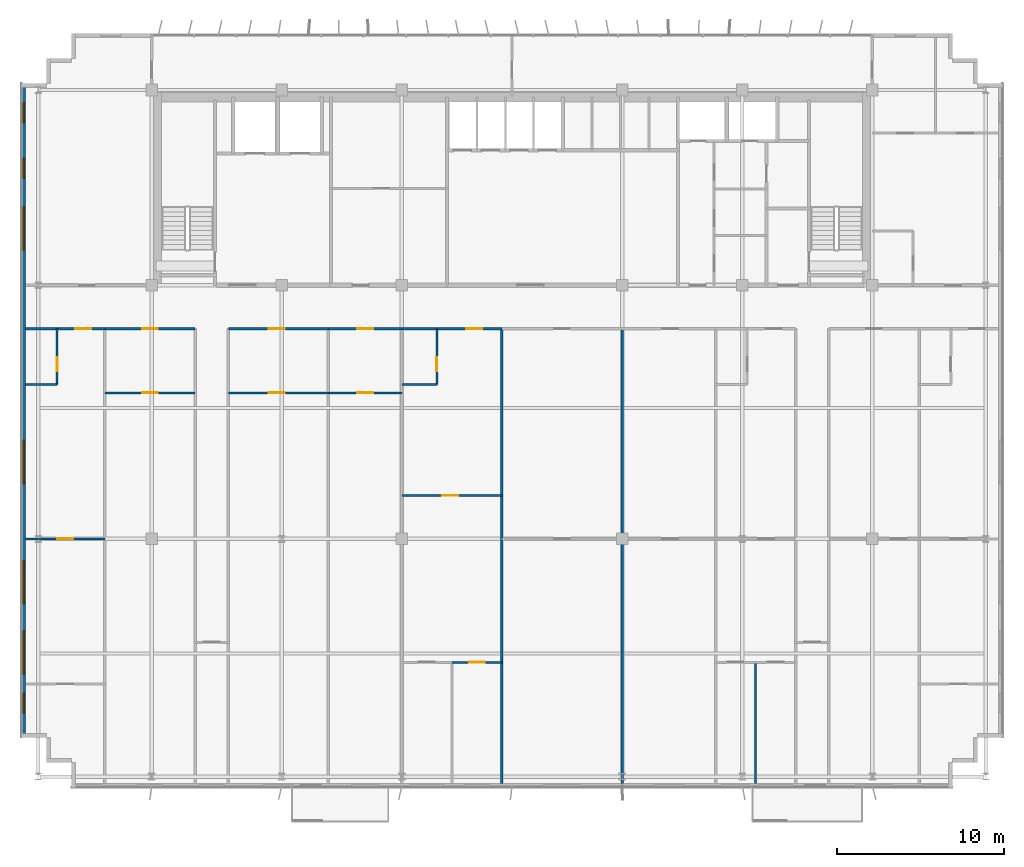
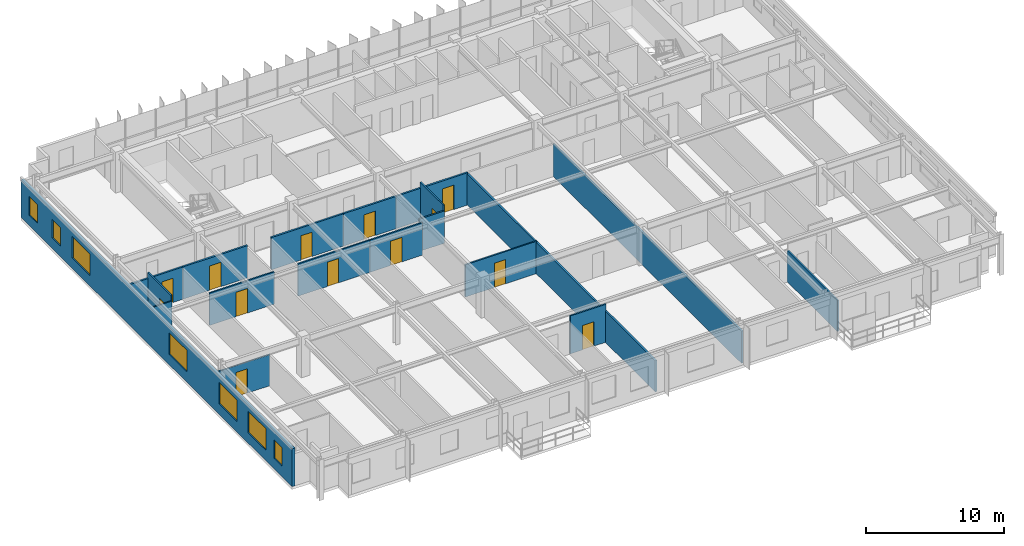
# One storey, part 15 of 21: 19 walls, 13 doors, 7 windows, 20 openings.
"""IFC4 building model written with IfcOpenShell, lengths in metres."""

from ifc_helpers import new_model, si_unit, direction, frame, frame_2d, origin, place, context, subcontext, project, spatial, rectangle, extrude, source, transform, mapped, material, layer, layer_set, type_object, element, fill, save


model = new_model("IFC4")

# Units and contexts
model_context = context("Model", 3, precision=1e-05, world=origin(), true_north=direction((0.0, 1.0)))
body_context = subcontext(model_context, "Body", "Model", "MODEL_VIEW")
ifc_project = project(units=[si_unit("LENGTHUNIT", "METRE"), si_unit("AREAUNIT", "SQUARE_METRE"), si_unit("VOLUMEUNIT", "CUBIC_METRE"), si_unit("PLANEANGLEUNIT", "RADIAN"), si_unit("MASSUNIT", "GRAM", prefix="KILO")], contexts=[model_context])

# Site, building, storey
site_placement = place(None, origin())
site = spatial("IfcSite", under=ifc_project, at=site_placement, CompositionType="ELEMENT")
building_placement = place(site_placement, origin())
building = spatial("IfcBuilding", under=site, at=building_placement, Name="Trelvane Seafront Commons", CompositionType="ELEMENT")
storey_placement = place(building_placement, frame((0.0, 0.0, 153.699951171875)))
storey = spatial("IfcBuildingStorey", under=building, at=storey_placement, Name="L40", CompositionType="ELEMENT", Elevation=153.699951171875)

# Wall, openings, windows
ifc_material_1 = material(Name="Precast concrete C40/50", Category="concrete")
ifc_layer_1 = layer(ifc_material_1, 0.239990234375, Name="ARCH-WALL-EXT240")
ifc_layer_set_1 = layer_set([ifc_layer_1], Name="Precast concrete C40/50")
wall_type_1 = type_object("IfcWallType", Name="ARCH-WALL-EXT240", PredefinedType="SOLIDWALL", material=ifc_layer_set_1)
wall_1_placement = place(storey_placement, frame((7.919921875, 6.300048828125, 0.0), z_axis=(0.0, 0.0, 1.0), x_axis=(0.0, 1.0, 0.0)))
wall_1 = element("IfcWall", 1, at=wall_1_placement, inside=storey, type_object=wall_type_1, Name="EW-L40-00784", PredefinedType="SOLIDWALL", context=body_context, shape_type="SweptSolid", body=[
    extrude(rectangle(XDim=39.199951171875, YDim=0.239990234375, at=frame_2d((19.60009765625, 0.0))), origin(), (0.0, 0.0, 1.0), 3.35009765625),
])
opening_1_placement = place(wall_1_placement, frame((1.449951171875, 0.0, 0.919921875)))
opening_1 = element("IfcOpeningElement", 2, at=opening_1_placement, cuts=wall_1, Name="Opening W05", PredefinedType="OPENING", context=body_context, shape_type="SweptSolid", body=[
    extrude(rectangle(XDim=1.199951171875, YDim=1.64990234375, at=frame_2d((0.60009765625, 0.824951171875))), frame((0.0, 0.1298828125, 0.0), z_axis=(0.0, -1.0, 0.0), x_axis=(1.0, 0.0, 0.0)), (0.0, 0.0, 1.0), 0.260009765625),
])
opening_2_placement = place(wall_1_placement, frame((3.800048828125, 0.0, 0.919921875)))
opening_2 = element("IfcOpeningElement", 3, at=opening_2_placement, cuts=wall_1, Name="Opening W04", PredefinedType="OPENING", context=body_context, shape_type="SweptSolid", body=[
    extrude(rectangle(XDim=2.60009765625, YDim=1.89990234375, at=frame_2d((1.300048828125, 0.949951171875))), frame((0.0, 0.1298828125, 0.0), z_axis=(0.0, -1.0, 0.0), x_axis=(1.0, 0.0, 0.0)), (0.0, 0.0, 1.0), 0.260009765625),
])
opening_3_placement = place(wall_1_placement, frame((8.0, 0.0, 0.919921875)))
opening_3 = element("IfcOpeningElement", 4, at=opening_3_placement, cuts=wall_1, Name="Opening W04", PredefinedType="OPENING", context=body_context, shape_type="SweptSolid", body=[
    extrude(rectangle(XDim=2.60009765625, YDim=1.89990234375, at=frame_2d((1.300048828125, 0.949951171875))), frame((0.0, 0.1298828125, 0.0), z_axis=(0.0, -1.0, 0.0), x_axis=(1.0, 0.0, 0.0)), (0.0, 0.0, 1.0), 0.260009765625),
])
opening_4_placement = place(wall_1_placement, frame((15.199951171875, 0.0, 0.919921875)))
opening_4 = element("IfcOpeningElement", 5, at=opening_4_placement, cuts=wall_1, Name="Opening W04", PredefinedType="OPENING", context=body_context, shape_type="SweptSolid", body=[
    extrude(rectangle(XDim=2.60009765625, YDim=1.89990234375, at=frame_2d((1.300048828125, 0.949951171875))), frame((0.0, 0.1298828125, 0.0), z_axis=(0.0, -1.0, 0.0), x_axis=(1.0, 0.0, 0.0)), (0.0, 0.0, 1.0), 0.260009765625),
])
opening_5_placement = place(wall_1_placement, frame((29.199951171875, 0.0, 0.919921875)))
opening_5 = element("IfcOpeningElement", 6, at=opening_5_placement, cuts=wall_1, Name="Opening W04", PredefinedType="OPENING", context=body_context, shape_type="SweptSolid", body=[
    extrude(rectangle(XDim=2.60009765625, YDim=1.89990234375, at=frame_2d((1.300048828125, 0.949951171875))), frame((0.0, 0.1298828125, 0.0), z_axis=(0.0, -1.0, 0.0), x_axis=(1.0, 0.0, 0.0)), (0.0, 0.0, 1.0), 0.260009765625),
])
opening_6_placement = place(wall_1_placement, frame((33.5, 0.0, 0.919921875)))
opening_6 = element("IfcOpeningElement", 7, at=opening_6_placement, cuts=wall_1, Name="Opening W05", PredefinedType="OPENING", context=body_context, shape_type="SweptSolid", body=[
    extrude(rectangle(XDim=1.199951171875, YDim=1.64990234375, at=frame_2d((0.60009765625, 0.824951171875))), frame((0.0, 0.1298828125, 0.0), z_axis=(0.0, -1.0, 0.0), x_axis=(1.0, 0.0, 0.0)), (0.0, 0.0, 1.0), 0.260009765625),
])
opening_7_placement = place(wall_1_placement, frame((36.85009765625, 0.0, 0.919921875)))
opening_7 = element("IfcOpeningElement", 8, at=opening_7_placement, cuts=wall_1, Name="Opening W05", PredefinedType="OPENING", context=body_context, shape_type="SweptSolid", body=[
    extrude(rectangle(XDim=1.199951171875, YDim=1.64990234375, at=frame_2d((0.60009765625, 0.824951171875))), frame((0.0, 0.1298828125, 0.0), z_axis=(0.0, -1.0, 0.0), x_axis=(1.0, 0.0, 0.0)), (0.0, 0.0, 1.0), 0.260009765625),
])
ifc_material_2 = material(Name="Low-E coastal double glazing", Category="glass")
window_type_1 = type_object("IfcWindowType", Name="ARCH-WIN-W04", PartitioningType="SINGLE_PANEL", PredefinedType="WINDOW", material=ifc_material_2)
shared_shape_1 = source(origin(), body_context, "Body", "SweptSolid", [
    extrude(rectangle(XDim=2.60009765625, YDim=1.89990234375, at=frame_2d((1.300048828125, 0.949951171875))), frame((0.0, 0.030029296875, 0.0), z_axis=(0.0, -1.0, 0.0), x_axis=(1.0, 0.0, 0.0)), (0.0, 0.0, 1.0), 0.06005859375),
])
window_1_placement = place(opening_2_placement, origin())
window_1 = element("IfcWindow", 9, at=window_1_placement, inside=storey, type_object=window_type_1, Name="WIN-L40-EW-00928", OverallHeight=1.89990234375, OverallWidth=2.60009765625, PartitioningType="SINGLE_PANEL", PredefinedType="WINDOW", context=body_context, shape_type="MappedRepresentation", body=[
    mapped(shared_shape_1, transform((0.0, 0.0, 0.0), x_axis=(1.0, 0.0, 0.0), y_axis=(0.0, 1.0, 0.0), z_axis=(0.0, 0.0, 1.0), scale=1.0)),
])
fill(opening_2, window_1)
window_2_placement = place(opening_3_placement, origin())
window_2 = element("IfcWindow", 10, at=window_2_placement, inside=storey, type_object=window_type_1, Name="WIN-L40-EW-00929", OverallHeight=1.89990234375, OverallWidth=2.60009765625, PartitioningType="SINGLE_PANEL", PredefinedType="WINDOW", context=body_context, shape_type="MappedRepresentation", body=[
    mapped(shared_shape_1, transform((0.0, 0.0, 0.0), x_axis=(1.0, 0.0, 0.0), y_axis=(0.0, 1.0, 0.0), z_axis=(0.0, 0.0, 1.0), scale=1.0)),
])
fill(opening_3, window_2)
window_3_placement = place(opening_4_placement, origin())
window_3 = element("IfcWindow", 11, at=window_3_placement, inside=storey, type_object=window_type_1, Name="WIN-L40-EW-00930", OverallHeight=1.89990234375, OverallWidth=2.60009765625, PartitioningType="SINGLE_PANEL", PredefinedType="WINDOW", context=body_context, shape_type="MappedRepresentation", body=[
    mapped(shared_shape_1, transform((0.0, 0.0, 0.0), x_axis=(1.0, 0.0, 0.0), y_axis=(0.0, 1.0, 0.0), z_axis=(0.0, 0.0, 1.0), scale=1.0)),
])
fill(opening_4, window_3)
window_4_placement = place(opening_5_placement, origin())
window_4 = element("IfcWindow", 12, at=window_4_placement, inside=storey, type_object=window_type_1, Name="WIN-L40-EW-00931", OverallHeight=1.89990234375, OverallWidth=2.60009765625, PartitioningType="SINGLE_PANEL", PredefinedType="WINDOW", context=body_context, shape_type="MappedRepresentation", body=[
    mapped(shared_shape_1, transform((0.0, 0.0, 0.0), x_axis=(1.0, 0.0, 0.0), y_axis=(0.0, 1.0, 0.0), z_axis=(0.0, 0.0, 1.0), scale=1.0)),
])
fill(opening_5, window_4)
window_type_2 = type_object("IfcWindowType", Name="ARCH-WIN-W05", PartitioningType="SINGLE_PANEL", PredefinedType="WINDOW", material=ifc_material_2)
shared_shape_2 = source(origin(), body_context, "Body", "SweptSolid", [
    extrude(rectangle(XDim=1.199951171875, YDim=1.64990234375, at=frame_2d((0.60009765625, 0.824951171875))), frame((0.0, 0.030029296875, 0.0), z_axis=(0.0, -1.0, 0.0), x_axis=(1.0, 0.0, 0.0)), (0.0, 0.0, 1.0), 0.06005859375),
])
window_5_placement = place(opening_1_placement, origin())
window_5 = element("IfcWindow", 13, at=window_5_placement, inside=storey, type_object=window_type_2, Name="WIN-L40-EW-00927", OverallHeight=1.64990234375, OverallWidth=1.199951171875, PartitioningType="SINGLE_PANEL", PredefinedType="WINDOW", context=body_context, shape_type="MappedRepresentation", body=[
    mapped(shared_shape_2, transform((0.0, 0.0, 0.0), x_axis=(1.0, 0.0, 0.0), y_axis=(0.0, 1.0, 0.0), z_axis=(0.0, 0.0, 1.0), scale=1.0)),
])
fill(opening_1, window_5)
window_6_placement = place(opening_6_placement, origin())
window_6 = element("IfcWindow", 14, at=window_6_placement, inside=storey, type_object=window_type_2, Name="WIN-L40-EW-00932", OverallHeight=1.64990234375, OverallWidth=1.199951171875, PartitioningType="SINGLE_PANEL", PredefinedType="WINDOW", context=body_context, shape_type="MappedRepresentation", body=[
    mapped(shared_shape_2, transform((0.0, 0.0, 0.0), x_axis=(1.0, 0.0, 0.0), y_axis=(0.0, 1.0, 0.0), z_axis=(0.0, 0.0, 1.0), scale=1.0)),
])
fill(opening_6, window_6)
window_7_placement = place(opening_7_placement, origin())
window_7 = element("IfcWindow", 15, at=window_7_placement, inside=storey, type_object=window_type_2, Name="WIN-L40-EW-00933", OverallHeight=1.64990234375, OverallWidth=1.199951171875, PartitioningType="SINGLE_PANEL", PredefinedType="WINDOW", context=body_context, shape_type="MappedRepresentation", body=[
    mapped(shared_shape_2, transform((0.0, 0.0, 0.0), x_axis=(1.0, 0.0, 0.0), y_axis=(0.0, 1.0, 0.0), z_axis=(0.0, 0.0, 1.0), scale=1.0)),
])
fill(opening_7, window_7)

# Wall, opening, door
ifc_material_3 = material(Name="Gypsum Drywall Acoustic Partition")
ifc_layer_2 = layer(ifc_material_3, 0.1201171875, Name="ARCH-WALL-PART120")
ifc_layer_set_2 = layer_set([ifc_layer_2], Name="Gypsum Drywall Acoustic Partition")
wall_type_2 = type_object("IfcWallType", Name="ARCH-WALL-PART120", PredefinedType="PARTITIONING", material=ifc_layer_set_2)
wall_2_placement = place(storey_placement, frame((8.0400390625, 18.199951171875, 0.0), z_axis=(0.0, 0.0, 1.0), x_axis=(1.0, 0.0, 0.0)))
wall_2 = element("IfcWall", 16, at=wall_2_placement, inside=storey, type_object=wall_type_2, Name="W-L40-U1-KL-054", PredefinedType="PARTITIONING", context=body_context, shape_type="SweptSolid", body=[
    extrude(rectangle(XDim=4.760009765625, YDim=0.1201171875, at=frame_2d((2.3798828125, 0.0))), origin(), (0.0, 0.0, 1.0), 2.75),
])
opening_8_placement = place(wall_2_placement, frame((1.905029296875, 0.0, 0.0)))
opening_8 = element("IfcOpeningElement", 17, at=opening_8_placement, cuts=wall_2, Name="Opening D-L40-29", PredefinedType="OPENING", context=body_context, shape_type="SweptSolid", body=[
    extrude(rectangle(XDim=0.949951171875, YDim=2.14990234375, at=frame_2d((0.47509765625, 1.074951171875))), frame((0.0, 0.070068359375, 0.0), z_axis=(0.0, -1.0, 0.0), x_axis=(1.0, 0.0, 0.0)), (0.0, 0.0, 1.0), 0.14013671875),
])
ifc_material_4 = material(Name="Acoustic timber door leaf", Category="wood")
door_type_1 = type_object("IfcDoorType", Name="ARCH-DR-INT950", OperationType="NOTDEFINED", PredefinedType="DOOR", material=ifc_material_4)
shared_shape_3 = source(origin(), body_context, "Body", "SweptSolid", [
    extrude(rectangle(XDim=0.949951171875, YDim=2.14990234375, at=frame_2d((0.47509765625, 1.074951171875))), frame((0.0, 0.02490234375, 0.0), z_axis=(0.0, -1.0, 0.0), x_axis=(1.0, 0.0, 0.0)), (0.0, 0.0, 1.0), 0.050048828125),
])
door_1_placement = place(opening_8_placement, origin())
door_1 = element("IfcDoor", 18, at=door_1_placement, inside=storey, type_object=door_type_1, Name="L40 Door 29", OperationType="SINGLE_SWING_LEFT", OverallHeight=2.14990234375, OverallWidth=0.949951171875, PredefinedType="DOOR", context=body_context, shape_type="MappedRepresentation", body=[
    mapped(shared_shape_3, transform((0.0, 0.0, 0.0), x_axis=(1.0, 0.0, 0.0), y_axis=(0.0, 1.0, 0.0), z_axis=(0.0, 0.0, 1.0), scale=1.0)),
])
fill(opening_8, door_1)

wall_3_placement = place(storey_placement, frame((9.93994140625, 27.449951171875, 0.0), z_axis=(0.0, 0.0, 1.0), x_axis=(0.0, 1.0, 0.0)))
wall_3 = element("IfcWall", 19, at=wall_3_placement, inside=storey, type_object=wall_type_2, Name="W-L40-U1-BE-055", PredefinedType="PARTITIONING", context=body_context, shape_type="SweptSolid", body=[
    extrude(rectangle(XDim=3.35009765625, YDim=0.1201171875, at=frame_2d((1.675048828125, 0.0))), origin(), (0.0, 0.0, 1.0), 3.35009765625),
])
opening_9_placement = place(wall_3_placement, frame((0.800048828125, 0.0, 0.0)))
opening_9 = element("IfcOpeningElement", 20, at=opening_9_placement, cuts=wall_3, Name="Opening D-L40-30", PredefinedType="OPENING", context=body_context, shape_type="SweptSolid", body=[
    extrude(rectangle(XDim=0.85009765625, YDim=2.10009765625, at=frame_2d((0.425048828125, 1.050048828125))), frame((0.0, 0.070068359375, 0.0), z_axis=(0.0, -1.0, 0.0), x_axis=(1.0, 0.0, 0.0)), (0.0, 0.0, 1.0), 0.14013671875),
])
door_type_2 = type_object("IfcDoorType", Name="ARCH-DR-INT850", OperationType="NOTDEFINED", PredefinedType="DOOR", material=ifc_material_4)
shared_shape_4 = source(origin(), body_context, "Body", "SweptSolid", [
    extrude(rectangle(XDim=0.85009765625, YDim=2.10009765625, at=frame_2d((0.425048828125, 1.050048828125))), frame((0.0, 0.02490234375, 0.0), z_axis=(0.0, -1.0, 0.0), x_axis=(1.0, 0.0, 0.0)), (0.0, 0.0, 1.0), 0.050048828125),
])
door_2_placement = place(opening_9_placement, origin())
door_2 = element("IfcDoor", 21, at=door_2_placement, inside=storey, type_object=door_type_2, Name="L40 Door 30", OperationType="SINGLE_SWING_RIGHT", OverallHeight=2.10009765625, OverallWidth=0.85009765625, PredefinedType="DOOR", context=body_context, shape_type="MappedRepresentation", body=[
    mapped(shared_shape_4, transform((0.0, 0.0, 0.0), x_axis=(1.0, 0.0, 0.0), y_axis=(0.0, 1.0, 0.0), z_axis=(0.0, 0.0, 1.0), scale=1.0)),
])
fill(opening_9, door_2)

# Wall
wall_4_placement = place(storey_placement, frame((8.0400390625, 27.449951171875, 0.0), z_axis=(0.0, 0.0, 1.0), x_axis=(1.0, 0.0, 0.0)))
element("IfcWall", 22, at=wall_4_placement, inside=storey, type_object=wall_type_2, Name="W-L40-U1-BS-056", PredefinedType="PARTITIONING", context=body_context, shape_type="SweptSolid", body=[
    extrude(rectangle(XDim=1.89990234375, YDim=0.1201171875, at=frame_2d((0.949951171875, 0.0))), origin(), (0.0, 0.0, 1.0), 2.85009765625),
])

# Wall, opening, door
wall_5_placement = place(storey_placement, frame((12.800048828125, 26.949951171875, 0.0), z_axis=(0.0, 0.0, 1.0), x_axis=(1.0, 0.0, 0.0)))
wall_5 = element("IfcWall", 23, at=wall_5_placement, inside=storey, type_object=wall_type_2, Name="W-L40-U2-DIV-060", PredefinedType="PARTITIONING", context=body_context, shape_type="SweptSolid", body=[
    extrude(rectangle(XDim=5.39990234375, YDim=0.1201171875, at=frame_2d((2.699951171875, 0.0))), origin(), (0.0, 0.0, 1.0), 2.85009765625),
])
opening_10_placement = place(wall_5_placement, frame((2.22509765625, 0.0, 0.0)))
opening_10 = element("IfcOpeningElement", 24, at=opening_10_placement, cuts=wall_5, Name="Opening D-L40-34", PredefinedType="OPENING", context=body_context, shape_type="SweptSolid", body=[
    extrude(rectangle(XDim=0.949951171875, YDim=2.14990234375, at=frame_2d((0.47509765625, 1.074951171875))), frame((0.0, 0.070068359375, 0.0), z_axis=(0.0, -1.0, 0.0), x_axis=(1.0, 0.0, 0.0)), (0.0, 0.0, 1.0), 0.14013671875),
])
door_3_placement = place(opening_10_placement, origin())
door_3 = element("IfcDoor", 25, at=door_3_placement, inside=storey, type_object=door_type_1, Name="L40 Door 34", OperationType="SINGLE_SWING_RIGHT", OverallHeight=2.14990234375, OverallWidth=0.949951171875, PredefinedType="DOOR", context=body_context, shape_type="MappedRepresentation", body=[
    mapped(shared_shape_3, transform((0.0, 0.0, 0.0), x_axis=(1.0, 0.0, 0.0), y_axis=(0.0, 1.0, 0.0), z_axis=(0.0, 0.0, 1.0), scale=1.0)),
])
fill(opening_10, door_3)

wall_6_placement = place(storey_placement, frame((20.199951171875, 26.949951171875, 0.0), z_axis=(0.0, 0.0, 1.0), x_axis=(1.0, 0.0, 0.0)))
wall_6 = element("IfcWall", 26, at=wall_6_placement, inside=storey, type_object=wall_type_2, Name="W-L40-U4-DIV-065", PredefinedType="PARTITIONING", context=body_context, shape_type="SweptSolid", body=[
    extrude(rectangle(XDim=6.0, YDim=0.1201171875, at=frame_2d((3.0, 0.0))), origin(), (0.0, 0.0, 1.0), 2.85009765625),
])
opening_11_placement = place(wall_6_placement, frame((2.431884765625, 0.0, 0.0)))
opening_11 = element("IfcOpeningElement", 27, at=opening_11_placement, cuts=wall_6, Name="Opening D-L40-37", PredefinedType="OPENING", context=body_context, shape_type="SweptSolid", body=[
    extrude(rectangle(XDim=0.949951171875, YDim=2.14990234375, at=frame_2d((0.47509765625, 1.074951171875))), frame((0.0, 0.070068359375, 0.0), z_axis=(0.0, -1.0, 0.0), x_axis=(1.0, 0.0, 0.0)), (0.0, 0.0, 1.0), 0.14013671875),
])
door_4_placement = place(opening_11_placement, origin())
door_4 = element("IfcDoor", 28, at=door_4_placement, inside=storey, type_object=door_type_1, Name="L40 Door 37", OperationType="SINGLE_SWING_LEFT", OverallHeight=2.14990234375, OverallWidth=0.949951171875, PredefinedType="DOOR", context=body_context, shape_type="MappedRepresentation", body=[
    mapped(shared_shape_3, transform((0.0, 0.0, 0.0), x_axis=(1.0, 0.0, 0.0), y_axis=(0.0, 1.0, 0.0), z_axis=(0.0, 0.0, 1.0), scale=1.0)),
])
fill(opening_11, door_4)

wall_7_placement = place(storey_placement, frame((26.199951171875, 26.949951171875, 0.0), z_axis=(0.0, 0.0, 1.0), x_axis=(1.0, 0.0, 0.0)))
wall_7 = element("IfcWall", 29, at=wall_7_placement, inside=storey, type_object=wall_type_2, Name="W-L40-U5-DIV-067", PredefinedType="PARTITIONING", context=body_context, shape_type="SweptSolid", body=[
    extrude(rectangle(XDim=4.400146484375, YDim=0.1201171875, at=frame_2d((2.2001953125, 0.0))), origin(), (0.0, 0.0, 1.0), 2.85009765625),
])
opening_12_placement = place(wall_7_placement, frame((1.72509765625, 0.0, 0.0)))
opening_12 = element("IfcOpeningElement", 30, at=opening_12_placement, cuts=wall_7, Name="Opening D-L40-39", PredefinedType="OPENING", context=body_context, shape_type="SweptSolid", body=[
    extrude(rectangle(XDim=0.949951171875, YDim=2.14990234375, at=frame_2d((0.47509765625, 1.074951171875))), frame((0.0, 0.070068359375, 0.0), z_axis=(0.0, -1.0, 0.0), x_axis=(1.0, 0.0, 0.0)), (0.0, 0.0, 1.0), 0.14013671875),
])
door_5_placement = place(opening_12_placement, origin())
door_5 = element("IfcDoor", 31, at=door_5_placement, inside=storey, type_object=door_type_1, Name="L40 Door 39", OperationType="SINGLE_SWING_LEFT", OverallHeight=2.14990234375, OverallWidth=0.949951171875, PredefinedType="DOOR", context=body_context, shape_type="MappedRepresentation", body=[
    mapped(shared_shape_3, transform((0.0, 0.0, 0.0), x_axis=(1.0, 0.0, 0.0), y_axis=(0.0, 1.0, 0.0), z_axis=(0.0, 0.0, 1.0), scale=1.0)),
])
fill(opening_12, door_5)

wall_8_placement = place(storey_placement, frame((30.60009765625, 20.800048828125, 0.0), z_axis=(0.0, 0.0, 1.0), x_axis=(1.0, 0.0, 0.0)))
wall_8 = element("IfcWall", 32, at=wall_8_placement, inside=storey, type_object=wall_type_2, Name="W-L40-U6-KL-068", PredefinedType="PARTITIONING", context=body_context, shape_type="SweptSolid", body=[
    extrude(rectangle(XDim=6.0, YDim=0.1201171875, at=frame_2d((3.0, 0.0))), origin(), (0.0, 0.0, 1.0), 2.85009765625),
])
opening_13_placement = place(wall_8_placement, frame((2.431884765625, 0.0, 0.0)))
opening_13 = element("IfcOpeningElement", 33, at=opening_13_placement, cuts=wall_8, Name="Opening D-L40-40", PredefinedType="OPENING", context=body_context, shape_type="SweptSolid", body=[
    extrude(rectangle(XDim=0.949951171875, YDim=2.14990234375, at=frame_2d((0.47509765625, 1.074951171875))), frame((0.0, 0.070068359375, 0.0), z_axis=(0.0, -1.0, 0.0), x_axis=(1.0, 0.0, 0.0)), (0.0, 0.0, 1.0), 0.14013671875),
])
door_6_placement = place(opening_13_placement, origin())
door_6 = element("IfcDoor", 34, at=door_6_placement, inside=storey, type_object=door_type_1, Name="L40 Door 40", OperationType="SINGLE_SWING_RIGHT", OverallHeight=2.14990234375, OverallWidth=0.949951171875, PredefinedType="DOOR", context=body_context, shape_type="MappedRepresentation", body=[
    mapped(shared_shape_3, transform((0.0, 0.0, 0.0), x_axis=(1.0, 0.0, 0.0), y_axis=(0.0, 1.0, 0.0), z_axis=(0.0, 0.0, 1.0), scale=1.0)),
])
fill(opening_13, door_6)

wall_9_placement = place(storey_placement, frame((32.68994140625, 27.449951171875, 0.0), z_axis=(0.0, 0.0, 1.0), x_axis=(0.0, 1.0, 0.0)))
wall_9 = element("IfcWall", 35, at=wall_9_placement, inside=storey, type_object=wall_type_2, Name="W-L40-U6-BE-069", PredefinedType="PARTITIONING", context=body_context, shape_type="SweptSolid", body=[
    extrude(rectangle(XDim=3.35009765625, YDim=0.1201171875, at=frame_2d((1.675048828125, 0.0))), origin(), (0.0, 0.0, 1.0), 3.35009765625),
])
opening_14_placement = place(wall_9_placement, frame((0.800048828125, 0.0, 0.0)))
opening_14 = element("IfcOpeningElement", 36, at=opening_14_placement, cuts=wall_9, Name="Opening D-L40-41", PredefinedType="OPENING", context=body_context, shape_type="SweptSolid", body=[
    extrude(rectangle(XDim=0.85009765625, YDim=2.10009765625, at=frame_2d((0.425048828125, 1.050048828125))), frame((0.0, 0.070068359375, 0.0), z_axis=(0.0, -1.0, 0.0), x_axis=(1.0, 0.0, 0.0)), (0.0, 0.0, 1.0), 0.14013671875),
])
door_7_placement = place(opening_14_placement, origin())
door_7 = element("IfcDoor", 37, at=door_7_placement, inside=storey, type_object=door_type_2, Name="L40 Door 41", OperationType="SINGLE_SWING_LEFT", OverallHeight=2.10009765625, OverallWidth=0.85009765625, PredefinedType="DOOR", context=body_context, shape_type="MappedRepresentation", body=[
    mapped(shared_shape_4, transform((0.0, 0.0, 0.0), x_axis=(1.0, 0.0, 0.0), y_axis=(0.0, 1.0, 0.0), z_axis=(0.0, 0.0, 1.0), scale=1.0)),
])
fill(opening_14, door_7)

# Wall
wall_10_placement = place(storey_placement, frame((30.60009765625, 27.449951171875, 0.0), z_axis=(0.0, 0.0, 1.0), x_axis=(1.0, 0.0, 0.0)))
element("IfcWall", 38, at=wall_10_placement, inside=storey, type_object=wall_type_2, Name="W-L40-U6-BS-070", PredefinedType="PARTITIONING", context=body_context, shape_type="SweptSolid", body=[
    extrude(rectangle(XDim=2.08984375, YDim=0.1201171875, at=frame_2d((1.044921875, 0.0))), origin(), (0.0, 0.0, 1.0), 2.85009765625),
])

# Wall, opening, door
wall_11_placement = place(storey_placement, frame((33.60009765625, 10.800048828125, 0.0), z_axis=(0.0, 0.0, 1.0), x_axis=(1.0, 0.0, 0.0)))
wall_11 = element("IfcWall", 39, at=wall_11_placement, inside=storey, type_object=wall_type_2, Name="W-L40-U6-YM-2-073", PredefinedType="PARTITIONING", context=body_context, shape_type="SweptSolid", body=[
    extrude(rectangle(XDim=3.0, YDim=0.1201171875, at=frame_2d((1.5, 0.0))), origin(), (0.0, 0.0, 1.0), 3.35009765625),
])
opening_15_placement = place(wall_11_placement, frame((1.02490234375, 0.0, 0.0)))
opening_15 = element("IfcOpeningElement", 40, at=opening_15_placement, cuts=wall_11, Name="Opening D-L40-44", PredefinedType="OPENING", context=body_context, shape_type="SweptSolid", body=[
    extrude(rectangle(XDim=0.949951171875, YDim=2.14990234375, at=frame_2d((0.47509765625, 1.074951171875))), frame((0.0, 0.070068359375, 0.0), z_axis=(0.0, -1.0, 0.0), x_axis=(1.0, 0.0, 0.0)), (0.0, 0.0, 1.0), 0.14013671875),
])
door_8_placement = place(opening_15_placement, origin())
door_8 = element("IfcDoor", 41, at=door_8_placement, inside=storey, type_object=door_type_1, Name="L40 Door 44", OperationType="SINGLE_SWING_RIGHT", OverallHeight=2.14990234375, OverallWidth=0.949951171875, PredefinedType="DOOR", context=body_context, shape_type="MappedRepresentation", body=[
    mapped(shared_shape_3, transform((0.0, 0.0, 0.0), x_axis=(1.0, 0.0, 0.0), y_axis=(0.0, 1.0, 0.0), z_axis=(0.0, 0.0, 1.0), scale=1.0)),
])
fill(opening_15, door_8)

# Walls
wall_12_placement = place(storey_placement, frame((51.800048828125, 3.52490234375, 0.0), z_axis=(0.0, 0.0, 1.0), x_axis=(0.0, 1.0, 0.0)))
element("IfcWall", 42, at=wall_12_placement, inside=storey, type_object=wall_type_2, Name="W-L40-U9-BDV-1-085", PredefinedType="PARTITIONING", context=body_context, shape_type="SweptSolid", body=[
    extrude(rectangle(XDim=7.275146484375, YDim=0.1201171875, at=frame_2d((3.6376953125, 0.0))), origin(), (0.0, 0.0, 1.0), 2.75),
])
ifc_layer_3 = layer(ifc_material_3, 0.14990234375, Name="ARCH-WALL-PART150")
ifc_layer_set_3 = layer_set([ifc_layer_3], Name="Gypsum Drywall Acoustic Partition")
wall_type_3 = type_object("IfcWallType", Name="ARCH-WALL-PART150", PredefinedType="PARTITIONING", material=ifc_layer_set_3)
wall_13_placement = place(storey_placement, frame((36.60009765625, 3.52490234375, 0.0), z_axis=(0.0, 0.0, 1.0), x_axis=(0.0, 1.0, 0.0)))
element("IfcWall", 43, at=wall_13_placement, inside=storey, type_object=wall_type_3, Name="W-L40-PW-6-050", PredefinedType="PARTITIONING", context=body_context, shape_type="SweptSolid", body=[
    extrude(rectangle(XDim=27.275146484375, YDim=0.14990234375, at=frame_2d((13.6376953125, 0.0))), origin(), (0.0, 0.0, 1.0), 2.75),
])
wall_14_placement = place(storey_placement, frame((43.800048828125, 3.52490234375, 0.0), z_axis=(0.0, 0.0, 1.0), x_axis=(0.0, 1.0, 0.0)))
element("IfcWall", 44, at=wall_14_placement, inside=storey, type_object=wall_type_3, Name="W-L40-PW-7-051", PredefinedType="PARTITIONING", context=body_context, shape_type="SweptSolid", body=[
    extrude(rectangle(XDim=27.275146484375, YDim=0.14990234375, at=frame_2d((13.6376953125, 0.0))), origin(), (0.0, 0.0, 1.0), 2.85009765625),
])

# Wall, opening, door
wall_15_placement = place(storey_placement, frame((8.02490234375, 30.800048828125, 0.0), z_axis=(0.0, 0.0, 1.0), x_axis=(1.0, 0.0, 0.0)))
wall_15 = element("IfcWall", 45, at=wall_15_placement, inside=storey, type_object=wall_type_3, Name="W-L40-CS-BAY-1-057", PredefinedType="PARTITIONING", context=body_context, shape_type="SweptSolid", body=[
    extrude(rectangle(XDim=4.775146484375, YDim=0.14990234375, at=frame_2d((2.3876953125, 0.0))), origin(), (0.0, 0.0, 1.0), 2.85009765625),
])
opening_16_placement = place(wall_15_placement, frame((2.993896484375, 0.0, 0.0)))
opening_16 = element("IfcOpeningElement", 46, at=opening_16_placement, cuts=wall_15, Name="Opening FD-L40-31", PredefinedType="OPENING", context=body_context, shape_type="SweptSolid", body=[
    extrude(rectangle(XDim=0.949951171875, YDim=2.14990234375, at=frame_2d((0.47509765625, 1.074951171875))), frame((0.0, 0.0849609375, 0.0), z_axis=(0.0, -1.0, 0.0), x_axis=(1.0, 0.0, 0.0)), (0.0, 0.0, 1.0), 0.169921875),
])
ifc_material_5 = material(Name="Powder-coated aluminium frame", Category="aluminium")
door_type_3 = type_object("IfcDoorType", Name="ARCH-DR-FD60-950", OperationType="NOTDEFINED", PredefinedType="DOOR", material=ifc_material_5)
door_9_placement = place(opening_16_placement, origin())
door_9 = element("IfcDoor", 47, at=door_9_placement, inside=storey, type_object=door_type_3, Name="L40 Unit 01 Entrance Door", OperationType="SINGLE_SWING_LEFT", OverallHeight=2.14990234375, OverallWidth=0.949951171875, PredefinedType="DOOR", context=body_context, shape_type="MappedRepresentation", body=[
    mapped(shared_shape_3, transform((0.0, 0.0, 0.0), x_axis=(1.0, 0.0, 0.0), y_axis=(0.0, 1.0, 0.0), z_axis=(0.0, 0.0, 1.0), scale=1.0)),
])
fill(opening_16, door_9)

wall_16_placement = place(storey_placement, frame((12.800048828125, 30.800048828125, 0.0), z_axis=(0.0, 0.0, 1.0), x_axis=(1.0, 0.0, 0.0)))
wall_16 = element("IfcWall", 48, at=wall_16_placement, inside=storey, type_object=wall_type_3, Name="W-L40-CS-BAY-2-059", PredefinedType="PARTITIONING", context=body_context, shape_type="SweptSolid", body=[
    extrude(rectangle(XDim=5.39990234375, YDim=0.14990234375, at=frame_2d((2.699951171875, 0.0))), origin(), (0.0, 0.0, 1.0), 2.85009765625),
])
opening_17_placement = place(wall_16_placement, frame((2.22509765625, 0.0, 0.0)))
opening_17 = element("IfcOpeningElement", 49, at=opening_17_placement, cuts=wall_16, Name="Opening FD-L40-33", PredefinedType="OPENING", context=body_context, shape_type="SweptSolid", body=[
    extrude(rectangle(XDim=0.949951171875, YDim=2.14990234375, at=frame_2d((0.47509765625, 1.074951171875))), frame((0.0, 0.0849609375, 0.0), z_axis=(0.0, -1.0, 0.0), x_axis=(1.0, 0.0, 0.0)), (0.0, 0.0, 1.0), 0.169921875),
])
door_10_placement = place(opening_17_placement, origin())
door_10 = element("IfcDoor", 50, at=door_10_placement, inside=storey, type_object=door_type_3, Name="L40 Bay 02 Entrance Door", OperationType="SINGLE_SWING_LEFT", OverallHeight=2.14990234375, OverallWidth=0.949951171875, PredefinedType="DOOR", context=body_context, shape_type="MappedRepresentation", body=[
    mapped(shared_shape_3, transform((0.0, 0.0, 0.0), x_axis=(1.0, 0.0, 0.0), y_axis=(0.0, 1.0, 0.0), z_axis=(0.0, 0.0, 1.0), scale=1.0)),
])
fill(opening_17, door_10)

wall_17_placement = place(storey_placement, frame((20.199951171875, 30.800048828125, 0.0), z_axis=(0.0, 0.0, 1.0), x_axis=(1.0, 0.0, 0.0)))
wall_17 = element("IfcWall", 51, at=wall_17_placement, inside=storey, type_object=wall_type_3, Name="W-L40-CS-BAY-4-064", PredefinedType="PARTITIONING", context=body_context, shape_type="SweptSolid", body=[
    extrude(rectangle(XDim=6.0, YDim=0.14990234375, at=frame_2d((3.0, 0.0))), origin(), (0.0, 0.0, 1.0), 2.85009765625),
])
opening_18_placement = place(wall_17_placement, frame((2.431884765625, 0.0, 0.0)))
opening_18 = element("IfcOpeningElement", 52, at=opening_18_placement, cuts=wall_17, Name="Opening FD-L40-36", PredefinedType="OPENING", context=body_context, shape_type="SweptSolid", body=[
    extrude(rectangle(XDim=0.949951171875, YDim=2.14990234375, at=frame_2d((0.47509765625, 1.074951171875))), frame((0.0, 0.0849609375, 0.0), z_axis=(0.0, -1.0, 0.0), x_axis=(1.0, 0.0, 0.0)), (0.0, 0.0, 1.0), 0.169921875),
])
door_11_placement = place(opening_18_placement, origin())
door_11 = element("IfcDoor", 53, at=door_11_placement, inside=storey, type_object=door_type_3, Name="L40 Bay 04 Entrance Door", OperationType="SINGLE_SWING_RIGHT", OverallHeight=2.14990234375, OverallWidth=0.949951171875, PredefinedType="DOOR", context=body_context, shape_type="MappedRepresentation", body=[
    mapped(shared_shape_3, transform((0.0, 0.0, 0.0), x_axis=(1.0, 0.0, 0.0), y_axis=(0.0, 1.0, 0.0), z_axis=(0.0, 0.0, 1.0), scale=1.0)),
])
fill(opening_18, door_11)

wall_18_placement = place(storey_placement, frame((26.199951171875, 30.800048828125, 0.0), z_axis=(0.0, 0.0, 1.0), x_axis=(1.0, 0.0, 0.0)))
wall_18 = element("IfcWall", 54, at=wall_18_placement, inside=storey, type_object=wall_type_3, Name="W-L40-CS-BAY-5-066", PredefinedType="PARTITIONING", context=body_context, shape_type="SweptSolid", body=[
    extrude(rectangle(XDim=4.400146484375, YDim=0.14990234375, at=frame_2d((2.2001953125, 0.0))), origin(), (0.0, 0.0, 1.0), 2.85009765625),
])
opening_19_placement = place(wall_18_placement, frame((1.72509765625, 0.0, 0.0)))
opening_19 = element("IfcOpeningElement", 55, at=opening_19_placement, cuts=wall_18, Name="Opening FD-L40-38", PredefinedType="OPENING", context=body_context, shape_type="SweptSolid", body=[
    extrude(rectangle(XDim=0.949951171875, YDim=2.14990234375, at=frame_2d((0.47509765625, 1.074951171875))), frame((0.0, 0.0849609375, 0.0), z_axis=(0.0, -1.0, 0.0), x_axis=(1.0, 0.0, 0.0)), (0.0, 0.0, 1.0), 0.169921875),
])
door_12_placement = place(opening_19_placement, origin())
door_12 = element("IfcDoor", 56, at=door_12_placement, inside=storey, type_object=door_type_3, Name="L40 Bay 05 Entrance Door", OperationType="SINGLE_SWING_RIGHT", OverallHeight=2.14990234375, OverallWidth=0.949951171875, PredefinedType="DOOR", context=body_context, shape_type="MappedRepresentation", body=[
    mapped(shared_shape_3, transform((0.0, 0.0, 0.0), x_axis=(1.0, 0.0, 0.0), y_axis=(0.0, 1.0, 0.0), z_axis=(0.0, 0.0, 1.0), scale=1.0)),
])
fill(opening_19, door_12)

wall_19_placement = place(storey_placement, frame((30.60009765625, 30.800048828125, 0.0), z_axis=(0.0, 0.0, 1.0), x_axis=(1.0, 0.0, 0.0)))
wall_19 = element("IfcWall", 57, at=wall_19_placement, inside=storey, type_object=wall_type_3, Name="W-L40-CS-BAY-6-071", PredefinedType="PARTITIONING", context=body_context, shape_type="SweptSolid", body=[
    extrude(rectangle(XDim=6.0, YDim=0.14990234375, at=frame_2d((3.0, 0.0))), origin(), (0.0, 0.0, 1.0), 2.85009765625),
])
opening_20_placement = place(wall_19_placement, frame((3.864990234375, 0.0, 0.0)))
opening_20 = element("IfcOpeningElement", 58, at=opening_20_placement, cuts=wall_19, Name="Opening FD-L40-42", PredefinedType="OPENING", context=body_context, shape_type="SweptSolid", body=[
    extrude(rectangle(XDim=0.949951171875, YDim=2.14990234375, at=frame_2d((0.47509765625, 1.074951171875))), frame((0.0, 0.0849609375, 0.0), z_axis=(0.0, -1.0, 0.0), x_axis=(1.0, 0.0, 0.0)), (0.0, 0.0, 1.0), 0.169921875),
])
door_13_placement = place(opening_20_placement, origin())
door_13 = element("IfcDoor", 59, at=door_13_placement, inside=storey, type_object=door_type_3, Name="L40 Unit 06 Entrance Door", OperationType="SINGLE_SWING_RIGHT", OverallHeight=2.14990234375, OverallWidth=0.949951171875, PredefinedType="DOOR", context=body_context, shape_type="MappedRepresentation", body=[
    mapped(shared_shape_3, transform((0.0, 0.0, 0.0), x_axis=(1.0, 0.0, 0.0), y_axis=(0.0, 1.0, 0.0), z_axis=(0.0, 0.0, 1.0), scale=1.0)),
])
fill(opening_20, door_13)

save(model, "model.ifc")
